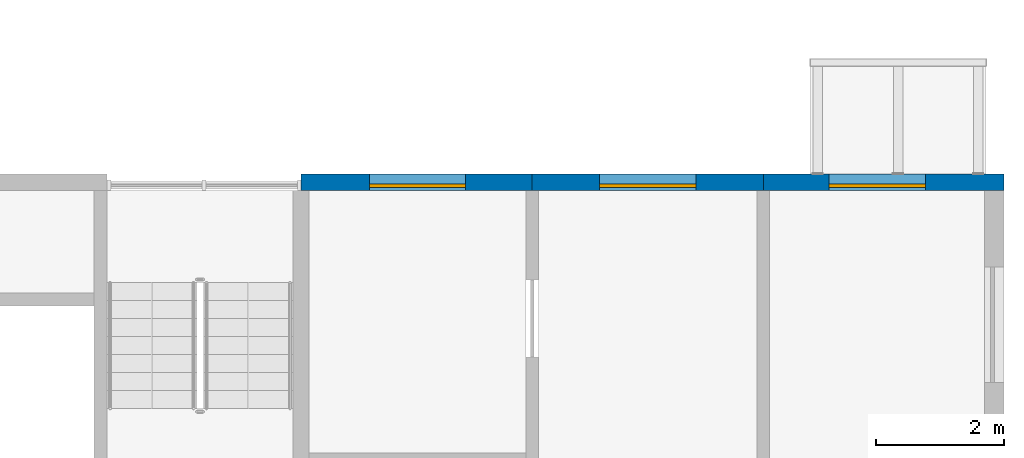
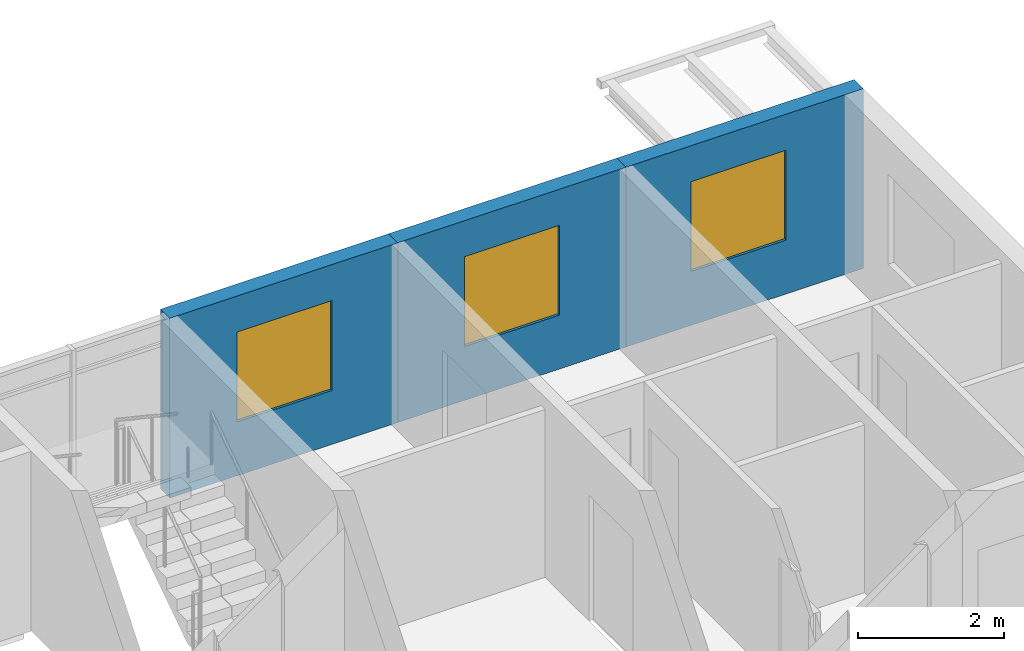
# One storey, part 60 of 98: 3 walls, 3 windows, 3 openings.
"""IFC4 building model written with IfcOpenShell, lengths in metres."""

from ifc_helpers import new_model, si_unit, direction, frame, frame_2d, origin, place, context, subcontext, project, spatial, rectangle, extrude, material, layer, layer_set, type_object, element, fill, save


model = new_model("IFC4")

# Units and contexts
model_context = context("Model", 3, precision=1e-05, world=origin(), true_north=direction((0.0, 1.0)))
body_context = subcontext(model_context, "Body", "Model", "MODEL_VIEW")
ifc_project = project(units=[si_unit("LENGTHUNIT", "METRE"), si_unit("AREAUNIT", "SQUARE_METRE"), si_unit("VOLUMEUNIT", "CUBIC_METRE"), si_unit("PLANEANGLEUNIT", "RADIAN"), si_unit("MASSUNIT", "GRAM", prefix="KILO")], contexts=[model_context])

# Site, building, storey
site_placement = place(None, origin())
site = spatial("IfcSite", under=ifc_project, at=site_placement, CompositionType="ELEMENT")
building_placement = place(site_placement, origin())
building = spatial("IfcBuilding", under=site, at=building_placement, Name="Ridgestep Commons", CompositionType="ELEMENT")
storey_placement = place(building_placement, frame((0.0, 0.0, 12.0)))
storey = spatial("IfcBuildingStorey", under=building, at=storey_placement, Name="L04", CompositionType="ELEMENT", Elevation=12.0)

# Wall, opening, window
ifc_material_1 = material(Name="Precast concrete C40/50", Category="concrete")
ifc_layer = layer(ifc_material_1, 0.25)
ifc_layer_set = layer_set([ifc_layer], Name="North facade panel 250")
wall_type = type_object("IfcWallType", Name="North facade panel 250", PredefinedType="SOLIDWALL", material=ifc_layer_set)
wall_1_placement = place(storey_placement, frame((236.800048828125, 77.125, 0.0), z_axis=(0.0, 0.0, 1.0), x_axis=(1.0, 0.0, 0.0)))
wall_1 = element("IfcWall", 1, at=wall_1_placement, inside=storey, type_object=wall_type, Name="North panel C6T3 L04", PredefinedType="SOLIDWALL", context=body_context, shape_type="SweptSolid", body=[
    extrude(rectangle(XDim=3.599853515625, YDim=0.25, at=frame_2d((1.7998046875, 0.0))), origin(), (0.0, 0.0, 1.0), 3.0),
])
opening_1_placement = place(wall_1_placement, frame((1.0625, 0.0, 0.89990234375)))
opening_1 = element("IfcOpeningElement", 2, at=opening_1_placement, cuts=wall_1, Name="Opening W16", PredefinedType="OPENING", context=body_context, shape_type="SweptSolid", body=[
    extrude(rectangle(XDim=1.5, YDim=1.5, at=frame_2d((0.75, 0.75))), frame((0.0, 0.135009765625, 0.0), z_axis=(0.0, -1.0, 0.0), x_axis=(1.0, 0.0, 0.0)), (0.0, 0.0, 1.0), 0.27001953125),
])
ifc_material_2 = material(Name="Aluminium 6063-T6 and glass", Category="aluminium")
window_type = type_object("IfcWindowType", Name="Flat window 1500 x 1500", PartitioningType="DOUBLE_PANEL_VERTICAL", PredefinedType="WINDOW", material=ifc_material_2)
window_1_placement = place(opening_1_placement, origin())
window_1 = element("IfcWindow", 3, at=window_1_placement, inside=storey, type_object=window_type, Name="Window C6-04b 2", OverallHeight=1.5, OverallWidth=1.5, PartitioningType="SINGLE_PANEL", PredefinedType="WINDOW", context=body_context, shape_type="SweptSolid", body=[
    extrude(rectangle(XDim=1.5, YDim=1.5, at=frame_2d((0.75, 0.75))), frame((0.0, -0.02490234375, 0.0), z_axis=(0.0, -1.0, 0.0), x_axis=(1.0, 0.0, 0.0)), (0.0, 0.0, 1.0), 0.06005859375),
])
fill(opening_1, window_1)

wall_2_placement = place(storey_placement, frame((240.39990234375, 77.125, 0.0), z_axis=(0.0, 0.0, 1.0), x_axis=(1.0, 0.0, 0.0)))
wall_2 = element("IfcWall", 4, at=wall_2_placement, inside=storey, type_object=wall_type, Name="North panel C6T2 L04", PredefinedType="SOLIDWALL", context=body_context, shape_type="SweptSolid", body=[
    extrude(rectangle(XDim=3.60009765625, YDim=0.25, at=frame_2d((1.800048828125, 0.0))), origin(), (0.0, 0.0, 1.0), 3.0),
])
opening_2_placement = place(wall_2_placement, frame((1.050048828125, 0.0, 0.89990234375)))
opening_2 = element("IfcOpeningElement", 5, at=opening_2_placement, cuts=wall_2, Name="Opening W16", PredefinedType="OPENING", context=body_context, shape_type="SweptSolid", body=[
    extrude(rectangle(XDim=1.5, YDim=1.5, at=frame_2d((0.75, 0.75))), frame((0.0, 0.135009765625, 0.0), z_axis=(0.0, -1.0, 0.0), x_axis=(1.0, 0.0, 0.0)), (0.0, 0.0, 1.0), 0.27001953125),
])
window_2_placement = place(opening_2_placement, origin())
window_2 = element("IfcWindow", 6, at=window_2_placement, inside=storey, type_object=window_type, Name="Window C6-04b 4", OverallHeight=1.5, OverallWidth=1.5, PartitioningType="SINGLE_PANEL", PredefinedType="WINDOW", context=body_context, shape_type="SweptSolid", body=[
    extrude(rectangle(XDim=1.5, YDim=1.5, at=frame_2d((0.75, 0.75))), frame((0.0, -0.02490234375, 0.0), z_axis=(0.0, -1.0, 0.0), x_axis=(1.0, 0.0, 0.0)), (0.0, 0.0, 1.0), 0.06005859375),
])
fill(opening_2, window_2)

wall_3_placement = place(storey_placement, frame((244.0, 77.125, 0.0), z_axis=(0.0, 0.0, 1.0), x_axis=(1.0, 0.0, 0.0)))
wall_3 = element("IfcWall", 7, at=wall_3_placement, inside=storey, type_object=wall_type, Name="North panel C6T1 L04", PredefinedType="SOLIDWALL", context=body_context, shape_type="SweptSolid", body=[
    extrude(rectangle(XDim=3.75, YDim=0.25, at=frame_2d((1.875, 0.0))), origin(), (0.0, 0.0, 1.0), 3.0),
])
opening_3_placement = place(wall_3_placement, frame((1.02490234375, 0.0, 0.89990234375)))
opening_3 = element("IfcOpeningElement", 8, at=opening_3_placement, cuts=wall_3, Name="Opening W16", PredefinedType="OPENING", context=body_context, shape_type="SweptSolid", body=[
    extrude(rectangle(XDim=1.5, YDim=1.5, at=frame_2d((0.75, 0.75))), frame((0.0, 0.135009765625, 0.0), z_axis=(0.0, -1.0, 0.0), x_axis=(1.0, 0.0, 0.0)), (0.0, 0.0, 1.0), 0.27001953125),
])
window_3_placement = place(opening_3_placement, origin())
window_3 = element("IfcWindow", 9, at=window_3_placement, inside=storey, type_object=window_type, Name="Window C6-04a 2", OverallHeight=1.5, OverallWidth=1.5, PartitioningType="SINGLE_PANEL", PredefinedType="WINDOW", context=body_context, shape_type="SweptSolid", body=[
    extrude(rectangle(XDim=1.5, YDim=1.5, at=frame_2d((0.75, 0.75))), frame((0.0, -0.02490234375, 0.0), z_axis=(0.0, -1.0, 0.0), x_axis=(1.0, 0.0, 0.0)), (0.0, 0.0, 1.0), 0.06005859375),
])
fill(opening_3, window_3)

save(model, "model.ifc")
